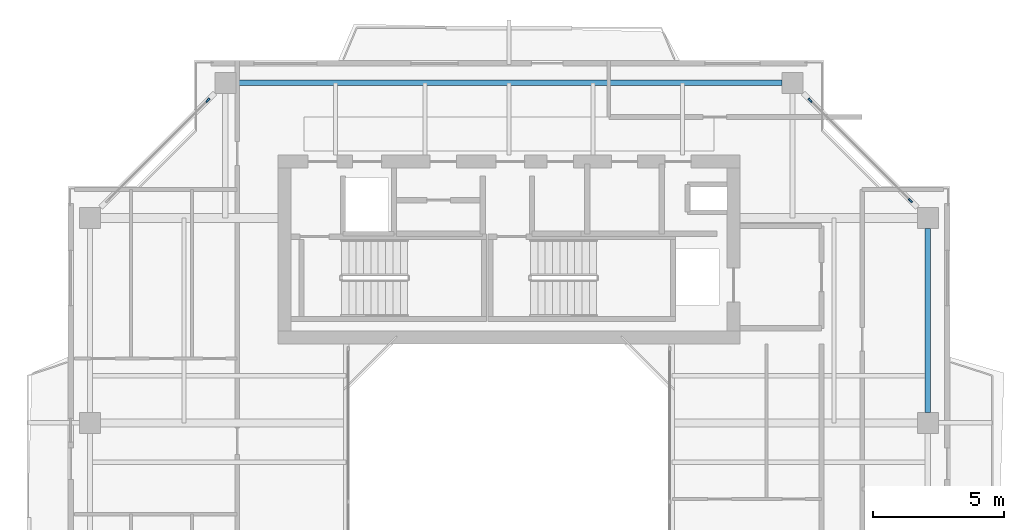
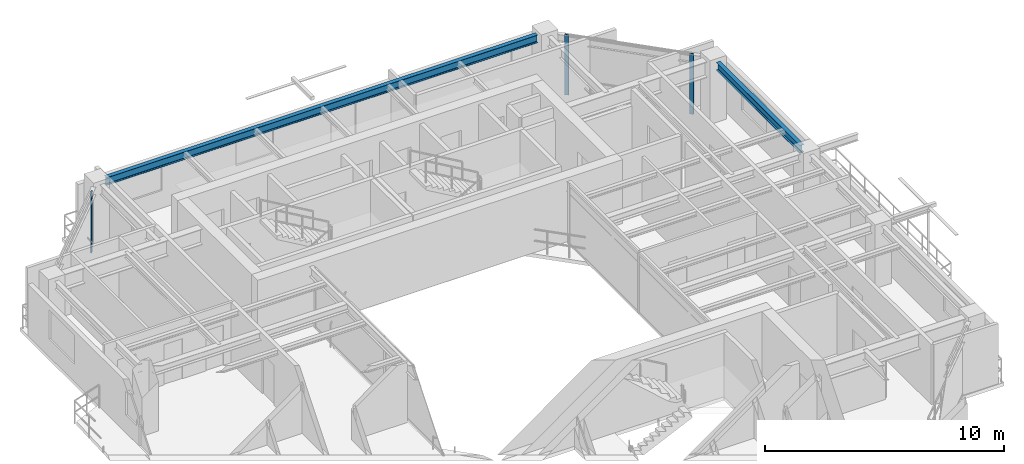
# One storey, part 8 of 16: 3 members, 2 beams, 2 elements without a shape of their own.
"""IFC4 building model written with IfcOpenShell, lengths in metres."""

import ifcopenshell
import ifcopenshell.guid

model = None  # the IFC model being written
_history = None  # IfcOwnerHistory: only IFC2X3 demands one
_inside = {}  # id of a spatial element -> (the spatial element, [elements in it])
_under = {}  # id of a project, library or spatial element -> (it, [spatial elements below it])
_declared = {}  # id of a project -> (the project, [libraries it declares])
_typed = {}  # id of a type object -> (the type object, [elements of that type])
_made_of = {}  # id of a material, layer set ... -> (it, [elements and type objects made of it])


def new_model(schema):
    """Start an empty IFC model of exactly this schema.

    Asked for "IFC4X3", IfcOpenShell would pick the latest addendum, in which some entities
    have other attributes; the version numbers below select the first issue.
    IFC2X3 requires an IfcOwnerHistory on every rooted entity: one is made here for all.
    """
    global model, _history
    if schema == "IFC4X3":
        model = ifcopenshell.file(schema_version=(4, 3, 0, 0))
    else:
        model = ifcopenshell.file(schema=schema)
    _inside.clear()
    _under.clear()
    _declared.clear()
    _typed.clear()
    _made_of.clear()
    _history = None
    if model.schema == "IFC2X3":
        org = make("IfcOrganization", Name="unknown")
        user = make(
            "IfcPersonAndOrganization",
            ThePerson=make("IfcPerson", FamilyName="unknown"),
            TheOrganization=org,
        )
        app = make(
            "IfcApplication",
            ApplicationDeveloper=org,
            Version="unknown",
            ApplicationFullName="unknown",
            ApplicationIdentifier="unknown",
        )
        _history = make(
            "IfcOwnerHistory",
            OwningUser=user,
            OwningApplication=app,
            ChangeAction="ADDED",
            CreationDate=0,
        )
    return model


def make(cls, **values):
    """One entity of the class cls with the attributes given. An attribute that is None is left unset."""
    return model.create_entity(
        cls, **{name: value for name, value in values.items() if value is not None}
    )


def rooted(cls, **values):
    """An entity with a GlobalId (a new one), such as an element, a storey or a relation."""
    return make(cls, GlobalId=ifcopenshell.guid.new(), OwnerHistory=_history, **values)


def si_unit(unit_type, name, prefix=None):
    """IfcSIUnit, for example si_unit("LENGTHUNIT", "METRE", prefix="MILLI")."""
    return make("IfcSIUnit", UnitType=unit_type, Prefix=prefix, Name=name)


def assignment(units):
    """IfcUnitAssignment: the units of a project."""
    return None if units is None else make("IfcUnitAssignment", Units=units)


def point(xyz):
    """IfcCartesianPoint."""
    return None if xyz is None else make("IfcCartesianPoint", Coordinates=xyz)


def direction(xyz):
    """IfcDirection."""
    return None if xyz is None else make("IfcDirection", DirectionRatios=xyz)


def frame(location, z_axis=None, x_axis=None):
    """IfcAxis2Placement3D, a coordinate frame: its origin and axes. An axis left out is left unset."""
    return make(
        "IfcAxis2Placement3D",
        Location=point(location),
        Axis=direction(z_axis),
        RefDirection=direction(x_axis),
    )


def frame_2d(location, x_axis=None):
    """IfcAxis2Placement2D, a coordinate frame in the plane: its origin and x axis."""
    return make(
        "IfcAxis2Placement2D", Location=point(location), RefDirection=direction(x_axis)
    )


def origin():
    """The frame at (0, 0, 0) with its axes left unset."""
    return frame((0.0, 0.0, 0.0))


def origin_2d():
    """The frame at (0, 0) in the plane with its x axis left unset."""
    return frame_2d((0.0, 0.0))


def place(relative_to, where):
    """IfcLocalPlacement: puts the frame where relative to a parent placement (None: the world)."""
    return make(
        "IfcLocalPlacement", PlacementRelTo=relative_to, RelativePlacement=where
    )


def context(
    kind, dimensions, precision=None, world=None, true_north=None, identifier=None
):
    """IfcGeometricRepresentationContext, for example the 3D "Model" context."""
    return make(
        "IfcGeometricRepresentationContext",
        ContextIdentifier=identifier,
        ContextType=kind,
        CoordinateSpaceDimension=dimensions,
        Precision=precision,
        WorldCoordinateSystem=world,
        TrueNorth=true_north,
    )


def subcontext(parent, identifier, kind, view, scale=None):
    """IfcGeometricRepresentationSubContext, for example "Body" below "Model"."""
    return make(
        "IfcGeometricRepresentationSubContext",
        ContextIdentifier=identifier,
        ContextType=kind,
        ParentContext=parent,
        TargetScale=scale,
        TargetView=view,
    )


def project(units=None, contexts=None):
    """IfcProject with its units and contexts."""
    return rooted(
        "IfcProject",
        Name="project",
        RepresentationContexts=contexts,
        UnitsInContext=assignment(units),
    )


def spatial(cls, under=None, at=None, **own):
    """A site, building, storey or space (cls), placed at a placement, below another one or the project."""
    s = rooted(cls, ObjectPlacement=at, **own)
    if under is not None:
        _under.setdefault(under.id(), (under, []))[1].append(s)
    return s


def profile(cls, at=None, kind="AREA", **sizes):
    """A parametric profile (cls). Its sizes go by their IFC names, for example OverallWidth=200.0."""
    return make(cls, ProfileType=kind, Position=at, **sizes)


def rectangle(**sizes):
    """IfcRectangleProfileDef."""
    return profile("IfcRectangleProfileDef", **sizes)


def i_section(**sizes):
    """IfcIShapeProfileDef."""
    return profile("IfcIShapeProfileDef", **sizes)


def extrude(swept, where, along, depth):
    """IfcExtrudedAreaSolid: the profile swept, set in the frame where, extruded along a direction by depth."""
    return make(
        "IfcExtrudedAreaSolid",
        SweptArea=swept,
        Position=where,
        ExtrudedDirection=direction(along),
        Depth=depth,
    )


def shape(context_of_items, identifier, shape_type, items):
    """IfcShapeRepresentation: the items that make up one representation, for example the "Body"."""
    return make(
        "IfcShapeRepresentation",
        ContextOfItems=context_of_items,
        RepresentationIdentifier=identifier,
        RepresentationType=shape_type,
        Items=items,
    )


def source(mapping_origin, context_of_items, identifier, shape_type, items):
    """IfcRepresentationMap: a shape defined once, which mapped items show again and again."""
    return make(
        "IfcRepresentationMap",
        MappingOrigin=mapping_origin,
        MappedRepresentation=shape(context_of_items, identifier, shape_type, items),
    )


def transform(
    local_origin,
    x_axis=None,
    y_axis=None,
    z_axis=None,
    scale=None,
    scale2=None,
    scale3=None,
    uniform=True,
):
    """IfcCartesianTransformationOperator3D, or its non-uniform kind. x_axis, y_axis, z_axis: its Axis1, 2, 3."""
    if uniform:
        return make(
            "IfcCartesianTransformationOperator3D",
            Axis1=direction(x_axis),
            Axis2=direction(y_axis),
            LocalOrigin=point(local_origin),
            Scale=scale,
            Axis3=direction(z_axis),
        )
    return make(
        "IfcCartesianTransformationOperator3DnonUniform",
        Axis1=direction(x_axis),
        Axis2=direction(y_axis),
        LocalOrigin=point(local_origin),
        Scale=scale,
        Axis3=direction(z_axis),
        Scale2=scale2,
        Scale3=scale3,
    )


def mapped(mapping_source, mapping_target):
    """IfcMappedItem: shows the shape of a source again, moved by a transform."""
    return make(
        "IfcMappedItem", MappingSource=mapping_source, MappingTarget=mapping_target
    )


def material(Name=None, Category=None):
    """IfcMaterial."""
    return make("IfcMaterial", Name=Name, Category=Category)


def layer(
    of_material, thickness, ventilated=None, Name=None, Category=None, Priority=None
):
    """IfcMaterialLayer: one layer of a wall or slab, of a material (None: an air gap)."""
    return make(
        "IfcMaterialLayer",
        Material=of_material,
        LayerThickness=thickness,
        IsVentilated=ventilated,
        Name=Name,
        Category=Category,
        Priority=Priority,
    )


def layer_set(layers, Name=None):
    """IfcMaterialLayerSet."""
    return make("IfcMaterialLayerSet", MaterialLayers=layers, LayerSetName=Name)


def material_profile(
    of_material, cross_section, Name=None, Category=None, Priority=None
):
    """IfcMaterialProfile: a cross section and its material."""
    return make(
        "IfcMaterialProfile",
        Name=Name,
        Material=of_material,
        Profile=cross_section,
        Priority=Priority,
        Category=Category,
    )


def profile_set(profiles, Name=None, composite=None):
    """IfcMaterialProfileSet."""
    return make(
        "IfcMaterialProfileSet",
        Name=Name,
        MaterialProfiles=profiles,
        CompositeProfile=composite,
    )


def made_of(thing, what):
    """Note that an element or type object is made of a material, layer set ...; save() writes the relation."""
    if what is not None:
        _made_of.setdefault(what.id(), (what, []))[1].append(thing)
    return thing


def type_object(cls, material=None, **own):
    """A type object (cls), such as IfcWallType, which elements share."""
    return made_of(rooted(cls, **own), material)


def element(
    cls,
    number,
    at=None,
    inside=None,
    cuts=None,
    type_object=None,
    material=None,
    context=None,
    identifier="Body",
    shape_type=None,
    held_by="IfcProductDefinitionShape",
    body=None,
    shapes=None,
    **own,
):
    """One element of the class cls, such as IfcWall. Its Tag is "e" and its number.

    at: its placement. inside: the storey or other place that contains it. cuts: it is an
    opening in that element (IfcRelVoidsElement). A single representation is given by context,
    identifier, shape_type and body (its items); several are given by shapes. held_by: the class
    of the entity that holds the representations. save() writes the other relations.
    """
    e = rooted(cls, Tag="e%d" % number, ObjectPlacement=at, **own)
    if body is not None:
        shapes = [shape(context, identifier, shape_type, body)]
    if shapes is not None:
        e.Representation = make(held_by, Representations=shapes)
    if inside is not None:
        _inside.setdefault(inside.id(), (inside, []))[1].append(e)
    if cuts is not None:
        rooted(
            "IfcRelVoidsElement", RelatingBuildingElement=cuts, RelatedOpeningElement=e
        )
    if type_object is not None:
        _typed.setdefault(type_object.id(), (type_object, []))[1].append(e)
    return made_of(e, material)


def aggregate(whole, parts):
    """IfcRelAggregates: a whole, such as a stair, and the parts it consists of."""
    return rooted("IfcRelAggregates", RelatingObject=whole, RelatedObjects=parts)


def save(model, path):
    """Write the relations noted so far, then the file.

    IfcRelAggregates (storeys below a building ...), IfcRelContainedInSpatialStructure (elements
    in a storey), IfcRelDefinesByType, IfcRelAssociatesMaterial and IfcRelDeclares: one each for
    every whole, place, type object, material and project.
    """
    for whole, parts in _under.values():
        aggregate(whole, parts)
    for where, things in _inside.values():
        rooted(
            "IfcRelContainedInSpatialStructure",
            RelatedElements=things,
            RelatingStructure=where,
        )
    for kind, things in _typed.values():
        rooted("IfcRelDefinesByType", RelatedObjects=things, RelatingType=kind)
    for what, things in _made_of.values():
        rooted("IfcRelAssociatesMaterial", RelatedObjects=things, RelatingMaterial=what)
    for by, libraries in _declared.values():
        rooted("IfcRelDeclares", RelatingContext=by, RelatedDefinitions=libraries)
    model.write(path)


model = new_model("IFC4")

# Units and contexts
model_context = context("Model", 3, precision=1e-05, world=origin(), true_north=direction((0.0, 1.0)))
body_context = subcontext(model_context, "Body", "Model", "MODEL_VIEW")
ifc_project = project(units=[si_unit("LENGTHUNIT", "METRE"), si_unit("AREAUNIT", "SQUARE_METRE"), si_unit("VOLUMEUNIT", "CUBIC_METRE"), si_unit("PLANEANGLEUNIT", "RADIAN"), si_unit("MASSUNIT", "GRAM", prefix="KILO"), si_unit("THERMODYNAMICTEMPERATUREUNIT", "KELVIN"), si_unit("POWERUNIT", "WATT")], contexts=[model_context])

# Site, building, storey
site_placement = place(None, origin())
site = spatial("IfcSite", under=ifc_project, at=site_placement, CompositionType="ELEMENT")
building_placement = place(site_placement, origin())
building = spatial("IfcBuilding", under=site, at=building_placement, Name="Qiaomeng Ring Towers", CompositionType="ELEMENT")
storey_placement = place(building_placement, frame((0.0, 0.0, 190.5)))
storey = spatial("IfcBuildingStorey", under=building, at=storey_placement, Name="L55", CompositionType="ELEMENT", Elevation=190.5)

# Beams
ifc_material_1 = material(Name="Steel Q355B", Category="steel")
ifc_material_profile_1 = material_profile(ifc_material_1, i_section(OverallWidth=0.198974609375, OverallDepth=0.39599609375, WebThickness=0.007080078125, FlangeThickness=0.010986328125, FilletRadius=0.01611328125, at=origin_2d()), Name="HN 396x199x7x11")
ifc_profile_set_1 = profile_set([ifc_material_profile_1], Name="Steel Q355B")
beam_type = type_object("IfcBeamType", Name="STR-BM-HN396", PredefinedType="SPANDREL", material=ifc_profile_set_1)
shared_shape_1 = source(origin(), body_context, "Body", "SweptSolid", [
    extrude(i_section(OverallWidth=0.198974609375, OverallDepth=0.39599609375, WebThickness=0.007080078125, FlangeThickness=0.010986328125, FilletRadius=0.01611328125, at=origin_2d()), origin(), (0.0, 0.0, 1.0), 20.8017578125),
])
beam_1_placement = place(storey_placement, frame((29.40087890625, 38.949951171875, 2.8720703125), z_axis=(-1.0, 0.0, 0.0), x_axis=(0.0, -1.0, 0.0)))
element("IfcBeam", 1, at=beam_1_placement, inside=storey, type_object=beam_type, Name="L55 beam STR-SP-L55-T1-N2-N1", PredefinedType="SPANDREL", context=body_context, shape_type="MappedRepresentation", body=[
    mapped(shared_shape_1, transform((0.0, 0.0, 0.0), x_axis=(1.0, 0.0, 0.0), y_axis=(0.0, 1.0, 0.0), z_axis=(0.0, 0.0, 1.0), scale=1.0)),
])
shared_shape_2 = source(origin(), body_context, "Body", "SweptSolid", [
    extrude(i_section(OverallWidth=0.198974609375, OverallDepth=0.39599609375, WebThickness=0.007080078125, FlangeThickness=0.010986328125, FilletRadius=0.01611328125, at=origin_2d()), origin(), (0.0, 0.0, 1.0), 7.001953125),
])
beam_2_placement = place(storey_placement, frame((34.949951171875, 26.39892578125, 2.8720703125), z_axis=(0.0, 1.0, 0.0), x_axis=(-1.0, 0.0, 0.0)))
element("IfcBeam", 2, at=beam_2_placement, inside=storey, type_object=beam_type, Name="L55 beam STR-SP-L55-T1-E3-E4", PredefinedType="SPANDREL", context=body_context, shape_type="MappedRepresentation", body=[
    mapped(shared_shape_2, transform((0.0, 0.0, 0.0), x_axis=(1.0, 0.0, 0.0), y_axis=(0.0, 1.0, 0.0), z_axis=(0.0, 0.0, 1.0), scale=1.0)),
])

# Curtain wall, members
ifc_material_2 = material(Name="Fluorocarbon dark-grey aluminium", Category="aluminium")
ifc_layer = layer(ifc_material_2, 0.14990234375, Name="Fluorocarbon dark-grey aluminium")
ifc_layer_set = layer_set([ifc_layer], Name="Fluorocarbon dark-grey aluminium")
curtain_wall_type = type_object("IfcCurtainWallType", Name="ARC-CW-3", PredefinedType="NOTDEFINED", material=ifc_layer_set)
curtain_wall_1_placement = place(storey_placement, origin())
curtain_wall_1 = element("IfcCurtainWall", 3, at=curtain_wall_1_placement, inside=storey, type_object=curtain_wall_type, Name="L55 Curtain Wall CW3", PredefinedType="NOTDEFINED")
ifc_material_profile_2 = material_profile(ifc_material_2, rectangle(XDim=0.070068359375, YDim=0.179931640625, at=origin_2d()), Name="ALU MULL 70x180")
ifc_profile_set_2 = profile_set([ifc_material_profile_2], Name="Fluorocarbon dark-grey aluminium")
member_type = type_object("IfcMemberType", Name="ARC-CWM-160", PredefinedType="MULLION", material=ifc_profile_set_2)
shared_shape_3 = source(origin(), body_context, "Body", "SweptSolid", [
    extrude(rectangle(XDim=0.070068359375, YDim=0.179931640625, at=origin_2d()), origin(), (0.0, 0.0, 1.0), 3.070068359375),
])
member_1_placement = place(storey_placement, frame((34.28515625, 34.46484375, 0.0), z_axis=(0.0, 0.0, 1.0), x_axis=(-0.707106781187, -0.707106781187, 0.0)))
member_1 = element("IfcMember", 4, at=member_1_placement, type_object=member_type, Name="CW3 mullion 1", PredefinedType="MULLION", context=body_context, shape_type="MappedRepresentation", body=[
    mapped(shared_shape_3, transform((0.0, 0.0, 0.0), x_axis=(1.0, 0.0, 0.0), y_axis=(0.0, 1.0, 0.0), z_axis=(0.0, 0.0, 1.0), scale=1.0)),
])
member_2_placement = place(storey_placement, frame((30.46484375, 38.28515625, 0.0), z_axis=(0.0, 0.0, 1.0), x_axis=(-0.707106781187, -0.707106781187, 0.0)))
member_2 = element("IfcMember", 5, at=member_2_placement, type_object=member_type, Name="CW3 mullion 2", PredefinedType="MULLION", context=body_context, shape_type="MappedRepresentation", body=[
    mapped(shared_shape_3, transform((0.0, 0.0, 0.0), x_axis=(1.0, 0.0, 0.0), y_axis=(0.0, 1.0, 0.0), z_axis=(0.0, 0.0, 1.0), scale=1.0)),
])
aggregate(curtain_wall_1, [member_1, member_2])

# Curtain wall, member
curtain_wall_2_placement = place(storey_placement, origin())
curtain_wall_2 = element("IfcCurtainWall", 6, at=curtain_wall_2_placement, inside=storey, type_object=curtain_wall_type, Name="L55 Curtain Wall CW3", PredefinedType="NOTDEFINED")
member_3_placement = place(storey_placement, frame((7.53515625, 38.28515625, 0.0), z_axis=(0.0, 0.0, 1.0), x_axis=(0.707106781187, -0.707106781187, 0.0)))
member_3 = element("IfcMember", 7, at=member_3_placement, type_object=member_type, Name="CW3 mullion 1", PredefinedType="MULLION", context=body_context, shape_type="MappedRepresentation", body=[
    mapped(shared_shape_3, transform((0.0, 0.0, 0.0), x_axis=(1.0, 0.0, 0.0), y_axis=(0.0, 1.0, 0.0), z_axis=(0.0, 0.0, 1.0), scale=1.0)),
])
aggregate(curtain_wall_2, [member_3])

save(model, "model.ifc")
